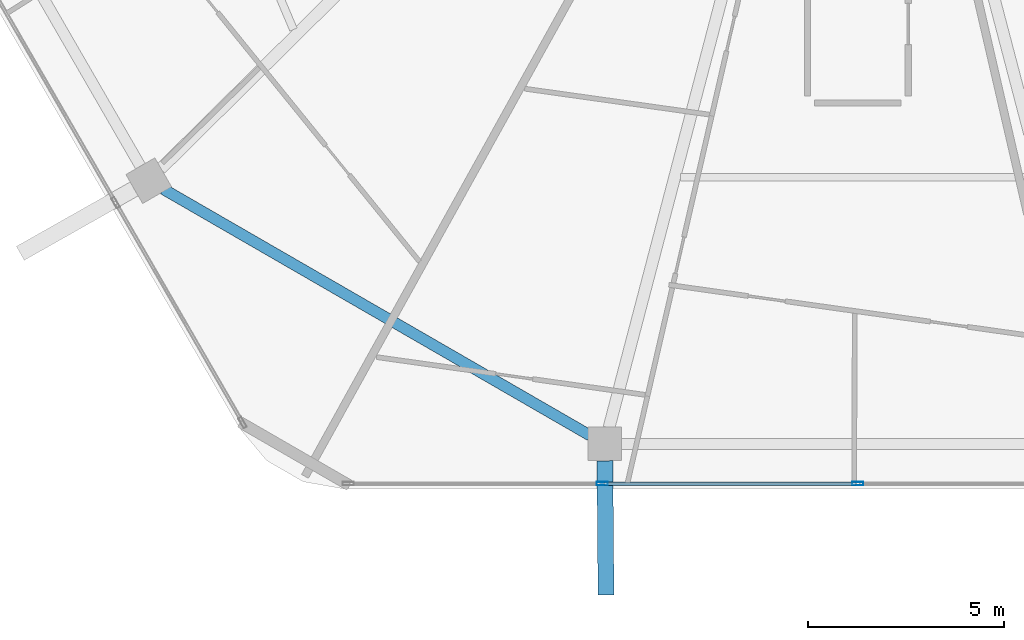
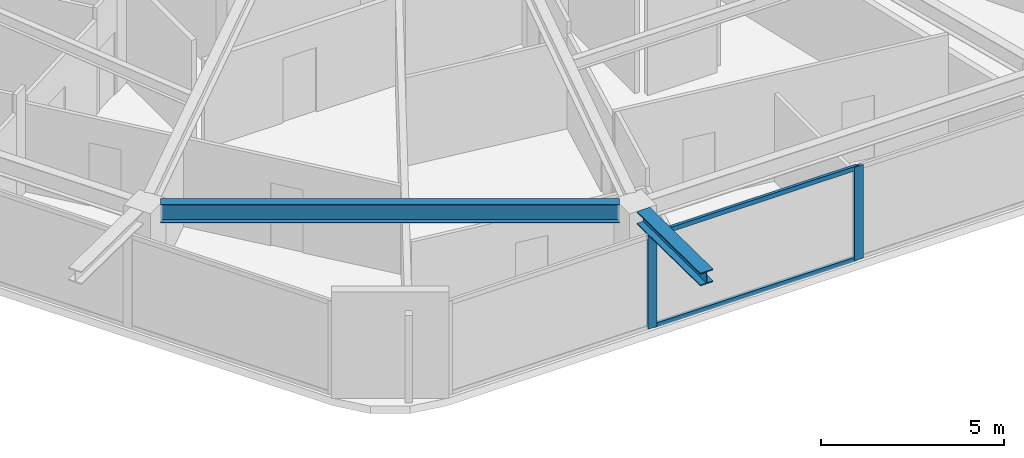
# One storey, part 3 of 26: 4 members, 2 beams, 1 element without a shape of its own.
"""IFC4 building model written with IfcOpenShell, lengths in metres."""

from ifc_helpers import new_model, si_unit, direction, frame, origin, origin_2d, place, context, subcontext, project, spatial, hollow_rectangle, i_section, extrude, material, material_profile, profile_set, type_object, element, aggregate, save


model = new_model("IFC4")

# Units and contexts
model_context = context("Model", 3, precision=1e-05, world=origin(), true_north=direction((0.0, 1.0)))
body_context = subcontext(model_context, "Body", "Model", "MODEL_VIEW")
ifc_project = project(units=[si_unit("LENGTHUNIT", "METRE"), si_unit("AREAUNIT", "SQUARE_METRE"), si_unit("VOLUMEUNIT", "CUBIC_METRE"), si_unit("PLANEANGLEUNIT", "RADIAN"), si_unit("MASSUNIT", "GRAM", prefix="KILO")], contexts=[model_context])

# Site, building, storey
site_placement = place(None, origin())
site = spatial("IfcSite", under=ifc_project, at=site_placement, CompositionType="ELEMENT")
building_placement = place(site_placement, origin())
building = spatial("IfcBuilding", under=site, at=building_placement, Name="Zuhravey Tower", CompositionType="ELEMENT")
storey_placement = place(building_placement, frame((0.0, 0.0, 280.60009765625)))
storey = spatial("IfcBuildingStorey", under=building, at=storey_placement, Name="L71", CompositionType="ELEMENT", Elevation=280.60009765625)

# Curtain wall, members
ifc_material_1 = material(Name="Thermally broken anodised aluminium", Category="aluminium")
curtain_wall_type = type_object("IfcCurtainWallType", Name="Zone 3-4 High-Rise Curtain Wall CW4", PredefinedType="NOTDEFINED", material=ifc_material_1)
curtain_wall_placement = place(storey_placement, origin())
curtain_wall = element("IfcCurtainWall", 1, at=curtain_wall_placement, inside=storey, type_object=curtain_wall_type, Name="L71 CW4 CW-L71-F5-1", PredefinedType="NOTDEFINED")
ifc_material_2 = material(Name="Anodised aluminium", Category="aluminium")
ifc_material_profile_1 = material_profile(ifc_material_2, hollow_rectangle(XDim=0.090087890625, YDim=0.284912109375, WallThickness=0.0048828125, at=origin_2d()), Name="ALU-RHS-90x285x5")
ifc_profile_set_1 = profile_set([ifc_material_profile_1], Name="Anodised aluminium")
member_type_1 = type_object("IfcMemberType", Name="Curtain-Wall Mullion 90x180", PredefinedType="MULLION", material=ifc_profile_set_1)
member_1_placement = place(storey_placement, frame((36.0, 6.436279296875, 0.0), z_axis=(0.0, 0.0, 1.0), x_axis=(0.0, -1.0, 0.0)))
member_1 = element("IfcMember", 2, at=member_1_placement, type_object=member_type_1, Name="CW4 mullion 3", PredefinedType="MULLION", context=body_context, shape_type="SweptSolid", body=[
    extrude(hollow_rectangle(XDim=0.090087890625, YDim=0.284912109375, WallThickness=0.0048828125, at=origin_2d()), origin(), (0.0, 0.0, 1.0), 3.121826171875),
])
member_2_placement = place(storey_placement, frame((29.49365234375, 6.436279296875, 0.0), z_axis=(0.0, 0.0, 1.0), x_axis=(0.0, -1.0, 0.0)))
member_2 = element("IfcMember", 3, at=member_2_placement, type_object=member_type_1, Name="CW4 mullion 4", PredefinedType="MULLION", context=body_context, shape_type="SweptSolid", body=[
    extrude(hollow_rectangle(XDim=0.090087890625, YDim=0.284912109375, WallThickness=0.0048828125, at=origin_2d()), origin(), (0.0, 0.0, 1.0), 3.121826171875),
])
ifc_material_profile_2 = material_profile(ifc_material_2, hollow_rectangle(XDim=0.090087890625, YDim=0.14990234375, WallThickness=0.0048828125, at=origin_2d()), Name="ALU-RHS-90x150x5")
ifc_profile_set_2 = profile_set([ifc_material_profile_2], Name="Anodised aluminium")
member_type_2 = type_object("IfcMemberType", Name="Curtain-Wall Transom 90x150", PredefinedType="USERDEFINED", material=ifc_profile_set_2)
member_3_placement = place(storey_placement, frame((35.955078125, 6.436279296875, 0.044921875), z_axis=(-1.0, 0.0, 0.0), x_axis=(0.0, -1.0, 0.0)))
member_3 = element("IfcMember", 4, at=member_3_placement, type_object=member_type_2, Name="CW4 transom 3.1", ObjectType="TRANSOM", PredefinedType="USERDEFINED", context=body_context, shape_type="SweptSolid", body=[
    extrude(hollow_rectangle(XDim=0.090087890625, YDim=0.14990234375, WallThickness=0.0048828125, at=origin_2d()), origin(), (0.0, 0.0, 1.0), 6.41650390625),
])
member_4_placement = place(storey_placement, frame((35.955078125, 6.436279296875, 3.076904296875), z_axis=(-1.0, 0.0, 0.0), x_axis=(0.0, -1.0, 0.0)))
member_4 = element("IfcMember", 5, at=member_4_placement, type_object=member_type_2, Name="CW4 transom 3.2", ObjectType="TRANSOM", PredefinedType="USERDEFINED", context=body_context, shape_type="SweptSolid", body=[
    extrude(hollow_rectangle(XDim=0.090087890625, YDim=0.14990234375, WallThickness=0.0048828125, at=origin_2d()), origin(), (0.0, 0.0, 1.0), 6.41650390625),
])
aggregate(curtain_wall, [member_1, member_2, member_3, member_4])

# Beams
ifc_material_3 = material(Name="Steel SM460", Category="steel")
ifc_material_profile_3 = material_profile(ifc_material_3, i_section(OverallWidth=0.406982421875, OverallDepth=0.427978515625, WebThickness=0.02001953125, FlangeThickness=0.034912109375, at=origin_2d()), Name="H-428x407x20x35")
ifc_profile_set_3 = profile_set([ifc_material_profile_3], Name="Steel SM460")
beam_type_1 = type_object("IfcBeamType", Name="Exoskeleton Node Tie Beam H428x407", PredefinedType="BEAM", material=ifc_profile_set_3)
beam_1_placement = place(storey_placement, frame((29.562744140625, 7.017333984375, 3.3359375), z_axis=(0.0086474754, -0.999962609886, 0.0), x_axis=(0.999962609886, 0.0086474754, 0.0)))
element("IfcBeam", 6, at=beam_1_placement, inside=storey, type_object=beam_type_1, Name="L71 Exoskeleton Node Tie NT1-09", PredefinedType="BEAM", context=body_context, shape_type="SweptSolid", body=[
    extrude(i_section(OverallWidth=0.406982421875, OverallDepth=0.427978515625, WebThickness=0.02001953125, FlangeThickness=0.034912109375, at=origin_2d()), origin(), (0.0, 0.0, 1.0), 3.416259765625),
])
ifc_material_4 = material(Name="Steel SM355", Category="steel")
ifc_material_profile_4 = material_profile(ifc_material_4, i_section(OverallWidth=0.280029296875, OverallDepth=0.6201171875, WebThickness=0.011962890625, FlangeThickness=0.02001953125, at=origin_2d()), Name="H-620x280x12x20")
ifc_profile_set_4 = profile_set([ifc_material_profile_4], Name="Steel SM355")
beam_type_2 = type_object("IfcBeamType", Name="Perimeter Ring Beam H620x280", PredefinedType="BEAM", material=ifc_profile_set_4)
beam_2_placement = place(storey_placement, frame((18.3271484375, 13.931396484375, 3.239990234375), z_axis=(0.866018312875, -0.500012281615, 0.0), x_axis=(0.500012281615, 0.866018312875, 0.0)))
element("IfcBeam", 7, at=beam_2_placement, inside=storey, type_object=beam_type_2, Name="L71 PB3 BM-L71-PB-08", PredefinedType="BEAM", context=body_context, shape_type="SweptSolid", body=[
    extrude(i_section(OverallWidth=0.280029296875, OverallDepth=0.6201171875, WebThickness=0.011962890625, FlangeThickness=0.02001953125, at=origin_2d()), origin(), (0.0, 0.0, 1.0), 12.541748046875),
])

save(model, "model.ifc")
